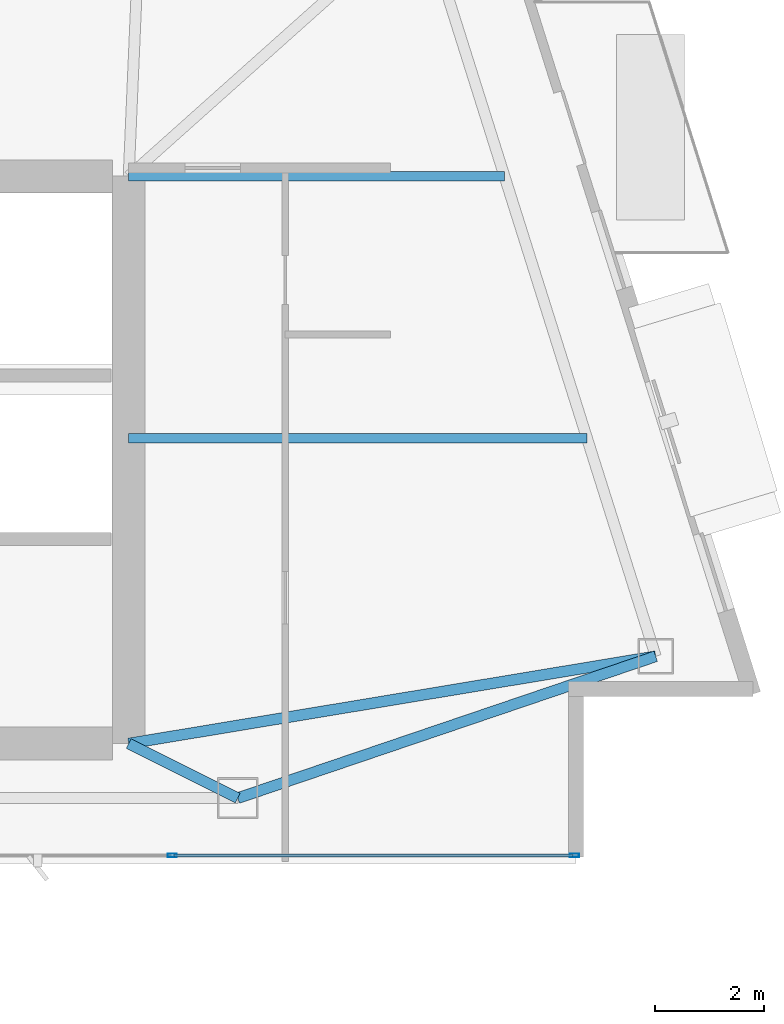
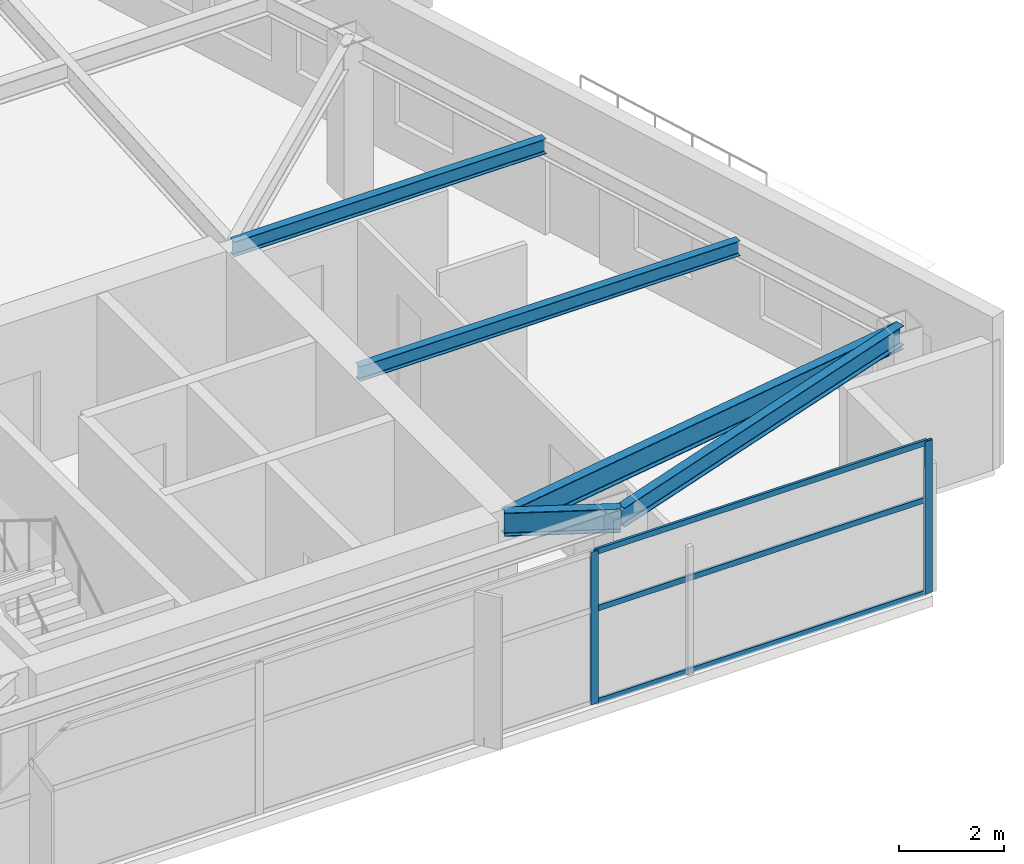
# One storey, part 14 of 28: 5 beams, 5 members, 1 element without a shape of its own.
"""IFC4 building model written with IfcOpenShell, lengths in metres."""

from ifc_helpers import new_model, si_unit, direction, frame, origin, origin_2d, place, context, subcontext, project, spatial, hollow_rectangle, i_section, extrude, material, layer, layer_set, material_profile, profile_set, type_object, element, aggregate, save


model = new_model("IFC4")

# Units and contexts
model_context = context("Model", 3, precision=1e-05, world=origin(), true_north=direction((0.0, 1.0)))
body_context = subcontext(model_context, "Body", "Model", "MODEL_VIEW")
ifc_project = project(units=[si_unit("LENGTHUNIT", "METRE"), si_unit("AREAUNIT", "SQUARE_METRE"), si_unit("VOLUMEUNIT", "CUBIC_METRE"), si_unit("PLANEANGLEUNIT", "RADIAN"), si_unit("MASSUNIT", "GRAM", prefix="KILO")], contexts=[model_context])

# Site, building, storey
site_placement = place(None, origin())
site = spatial("IfcSite", under=ifc_project, at=site_placement, CompositionType="ELEMENT")
building_placement = place(site_placement, origin())
building = spatial("IfcBuilding", under=site, at=building_placement, Name="Calvorn Quay Hotel", CompositionType="ELEMENT")
storey_placement = place(building_placement, frame((0.0, 0.0, 274.89990234375)))
storey = spatial("IfcBuildingStorey", under=building, at=storey_placement, Name="L68", CompositionType="ELEMENT", Elevation=274.89990234375)

# Beams
ifc_material_1 = material(Name="Steel Q355B", Category="steel")
ifc_material_profile_1 = material_profile(ifc_material_1, i_section(OverallWidth=0.199951171875, OverallDepth=0.550048828125, WebThickness=0.010009765625, FlangeThickness=0.01611328125, FilletRadius=0.01806640625, at=origin_2d()), Name="HN550x200x10x16")
ifc_profile_set_1 = profile_set([ifc_material_profile_1], Name="Steel Q355B")
beam_type_1 = type_object("IfcBeamType", Name="BM-GIRD-UPP", PredefinedType="BEAM", material=ifc_profile_set_1)
beam_1_placement = place(storey_placement, frame((34.39990234375, 3.60009765625, 3.26513671875), z_axis=(-0.894427191, 0.4472135955, 0.0), x_axis=(-0.4472135955, -0.894427191, 0.0)))
element("IfcBeam", 1, at=beam_1_placement, inside=storey, type_object=beam_type_1, Name="Beam BG-L68-S3", PredefinedType="BEAM", context=body_context, shape_type="SweptSolid", body=[
    extrude(i_section(OverallWidth=0.199951171875, OverallDepth=0.550048828125, WebThickness=0.010009765625, FlangeThickness=0.01611328125, FilletRadius=0.01806640625, at=origin_2d()), origin(), (0.0, 0.0, 1.0), 2.236083984375),
])
beam_2_placement = place(storey_placement, frame((32.39990234375, 4.60009765625, 3.26513671875), z_axis=(0.986564536395, 0.163372015743, 0.0), x_axis=(-0.163372015743, 0.986564536395, 0.0)))
element("IfcBeam", 2, at=beam_2_placement, inside=storey, type_object=beam_type_1, Name="Beam BG-L68-E1", PredefinedType="BEAM", context=body_context, shape_type="SweptSolid", body=[
    extrude(i_section(OverallWidth=0.199951171875, OverallDepth=0.550048828125, WebThickness=0.010009765625, FlangeThickness=0.01611328125, FilletRadius=0.01806640625, at=origin_2d()), origin(), (0.0, 0.0, 1.0), 9.792724609375),
])
ifc_material_2 = material(Name="Steel Q355B", Category="steel")
ifc_material_profile_2 = material_profile(ifc_material_2, i_section(OverallWidth=0.175048828125, OverallDepth=0.35009765625, WebThickness=0.007080078125, FlangeThickness=0.010986328125, FilletRadius=0.013916015625, at=origin_2d()), Name="HN350x175x7x11")
ifc_profile_set_2 = profile_set([ifc_material_profile_2], Name="Steel Q355B")
beam_type_2 = type_object("IfcBeamType", Name="BM-JOIST-SEC", PredefinedType="JOIST", material=ifc_profile_set_2)
beam_3_placement = place(storey_placement, frame((32.39990234375, 10.199951171875, 3.364990234375), z_axis=(1.0, 0.0, 0.0), x_axis=(0.0, 1.0, 0.0)))
element("IfcBeam", 3, at=beam_3_placement, inside=storey, type_object=beam_type_2, Name="Beam BJ-L68-E1", PredefinedType="JOIST", context=body_context, shape_type="SweptSolid", body=[
    extrude(i_section(OverallWidth=0.175048828125, OverallDepth=0.35009765625, WebThickness=0.007080078125, FlangeThickness=0.010986328125, FilletRadius=0.013916015625, at=origin_2d()), origin(), (0.0, 0.0, 1.0), 8.401123046875),
])
beam_4_placement = place(storey_placement, frame((32.39990234375, 15.0, 3.364990234375), z_axis=(1.0, 0.0, 0.0), x_axis=(0.0, 1.0, 0.0)))
element("IfcBeam", 4, at=beam_4_placement, inside=storey, type_object=beam_type_2, Name="Beam BJ-L68-E2", PredefinedType="JOIST", context=body_context, shape_type="SweptSolid", body=[
    extrude(i_section(OverallWidth=0.175048828125, OverallDepth=0.35009765625, WebThickness=0.007080078125, FlangeThickness=0.010986328125, FilletRadius=0.013916015625, at=origin_2d()), origin(), (0.0, 0.0, 1.0), 6.88818359375),
])
ifc_material_3 = material(Name="Steel Q355B", Category="steel")
ifc_material_profile_3 = material_profile(ifc_material_3, i_section(OverallWidth=0.199951171875, OverallDepth=0.449951171875, WebThickness=0.009033203125, FlangeThickness=0.013916015625, FilletRadius=0.01611328125, at=origin_2d()), Name="HN450x200x9x14")
ifc_profile_set_3 = profile_set([ifc_material_profile_3], Name="Steel Q355B")
beam_type_3 = type_object("IfcBeamType", Name="BM-SPANDREL-Z3", PredefinedType="SPANDREL", material=ifc_profile_set_3)
beam_5_placement = place(storey_placement, frame((34.39990234375, 3.60009765625, 3.315185546875), z_axis=(0.946958367473, 0.321356266897, 0.0), x_axis=(-0.321356266897, 0.946958367473, 0.0)))
element("IfcBeam", 5, at=beam_5_placement, inside=storey, type_object=beam_type_3, Name="Beam BSP-L68-S4", PredefinedType="SPANDREL", context=body_context, shape_type="SweptSolid", body=[
    extrude(i_section(OverallWidth=0.199951171875, OverallDepth=0.449951171875, WebThickness=0.009033203125, FlangeThickness=0.013916015625, FilletRadius=0.01611328125, at=origin_2d()), origin(), (0.0, 0.0, 1.0), 8.09033203125),
])

# Curtain wall, members
ifc_material_4 = material(Name="Champagne Bronze Anodised Aluminium and Low-E Glass", Category="aluminium")
ifc_layer = layer(ifc_material_4, 0.219970703125)
ifc_layer_set = layer_set([ifc_layer], Name="CW-SYS-Z4")
curtain_wall_type = type_object("IfcCurtainWallType", Name="CW-SYS-Z4", PredefinedType="NOTDEFINED", material=ifc_layer_set)
curtain_wall_placement = place(storey_placement, origin())
curtain_wall = element("IfcCurtainWall", 6, at=curtain_wall_placement, inside=storey, type_object=curtain_wall_type, Name="Tower South Waterfront Curtain Wall (L68)", PredefinedType="NOTDEFINED")
ifc_material_5 = material(Name="Champagne Bronze Anodised Aluminium 6063-T6", Category="aluminium")
ifc_material_profile_4 = material_profile(ifc_material_5, hollow_rectangle(XDim=0.06494140625, YDim=0.169921875, WallThickness=0.00341796875, at=origin_2d()), Name="ALU-M170x65x3.5")
ifc_profile_set_4 = profile_set([ifc_material_profile_4], Name="Champagne Bronze Anodised Aluminium 6063-T6")
member_type_1 = type_object("IfcMemberType", Name="CW-SYS-Z4-MUL", PredefinedType="MULLION", material=ifc_profile_set_4)
member_1_placement = place(storey_placement, frame((33.199951171875, 2.550048828125, 0.0), z_axis=(0.0, 0.0, 1.0), x_axis=(0.0, 1.0, 0.0)))
member_1 = element("IfcMember", 7, at=member_1_placement, type_object=member_type_1, Name="CW-L68-S mullion 4", PredefinedType="MULLION", context=body_context, shape_type="SweptSolid", body=[
    extrude(hollow_rectangle(XDim=0.06494140625, YDim=0.169921875, WallThickness=0.00341796875, at=origin_2d()), origin(), (0.0, 0.0, 1.0), 3.56005859375),
])
member_2_placement = place(storey_placement, frame((40.570068359375, 2.550048828125, 0.0), z_axis=(0.0, 0.0, 1.0), x_axis=(0.0, 1.0, 0.0)))
member_2 = element("IfcMember", 8, at=member_2_placement, type_object=member_type_1, Name="CW-L68-S mullion 5", PredefinedType="MULLION", context=body_context, shape_type="SweptSolid", body=[
    extrude(hollow_rectangle(XDim=0.06494140625, YDim=0.169921875, WallThickness=0.00341796875, at=origin_2d()), origin(), (0.0, 0.0, 1.0), 3.56005859375),
])
ifc_material_6 = material(Name="Champagne Bronze Anodised Aluminium 6063-T6", Category="aluminium")
ifc_material_profile_5 = material_profile(ifc_material_6, hollow_rectangle(XDim=0.054931640625, YDim=0.1298828125, WallThickness=0.003173828125, at=origin_2d()), Name="ALU-T130x55x3.2")
ifc_profile_set_5 = profile_set([ifc_material_profile_5], Name="Champagne Bronze Anodised Aluminium 6063-T6")
member_type_2 = type_object("IfcMemberType", Name="CW-SYS-Z4-TRN", PredefinedType="USERDEFINED", material=ifc_profile_set_5)
member_3_placement = place(storey_placement, frame((33.22998046875, 2.550048828125, 0.030029296875), z_axis=(1.0, 0.0, 0.0), x_axis=(0.0, 1.0, 0.0)))
member_3 = element("IfcMember", 9, at=member_3_placement, type_object=member_type_2, Name="CW-L68-S transom 4.1", ObjectType="TRANSOM", PredefinedType="USERDEFINED", context=body_context, shape_type="SweptSolid", body=[
    extrude(hollow_rectangle(XDim=0.054931640625, YDim=0.1298828125, WallThickness=0.003173828125, at=origin_2d()), origin(), (0.0, 0.0, 1.0), 7.31005859375),
])
member_4_placement = place(storey_placement, frame((33.22998046875, 2.550048828125, 2.2001953125), z_axis=(1.0, 0.0, 0.0), x_axis=(0.0, 1.0, 0.0)))
member_4 = element("IfcMember", 10, at=member_4_placement, type_object=member_type_2, Name="CW-L68-S transom 4.2", ObjectType="TRANSOM", PredefinedType="USERDEFINED", context=body_context, shape_type="SweptSolid", body=[
    extrude(hollow_rectangle(XDim=0.054931640625, YDim=0.1298828125, WallThickness=0.003173828125, at=origin_2d()), origin(), (0.0, 0.0, 1.0), 7.31005859375),
])
member_5_placement = place(storey_placement, frame((33.22998046875, 2.550048828125, 3.530029296875), z_axis=(1.0, 0.0, 0.0), x_axis=(0.0, 1.0, 0.0)))
member_5 = element("IfcMember", 11, at=member_5_placement, type_object=member_type_2, Name="CW-L68-S transom 4.3", ObjectType="TRANSOM", PredefinedType="USERDEFINED", context=body_context, shape_type="SweptSolid", body=[
    extrude(hollow_rectangle(XDim=0.054931640625, YDim=0.1298828125, WallThickness=0.003173828125, at=origin_2d()), origin(), (0.0, 0.0, 1.0), 7.31005859375),
])
aggregate(curtain_wall, [member_1, member_2, member_3, member_4, member_5])

save(model, "model.ifc")
